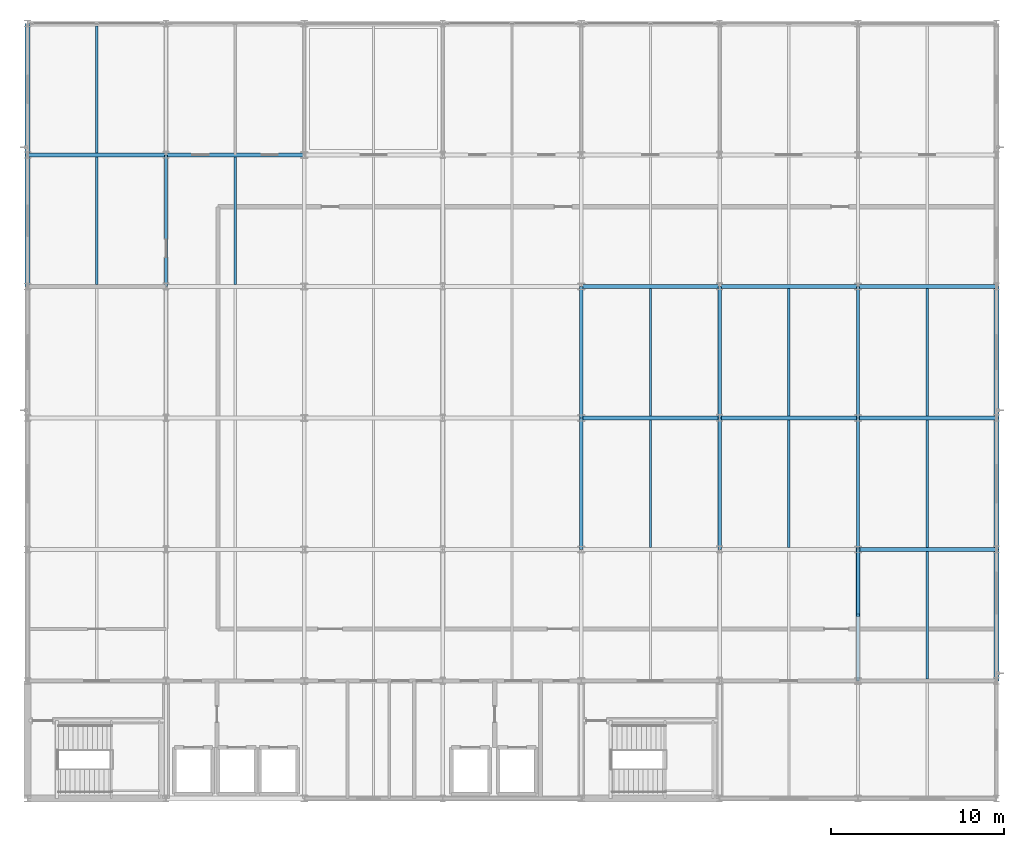
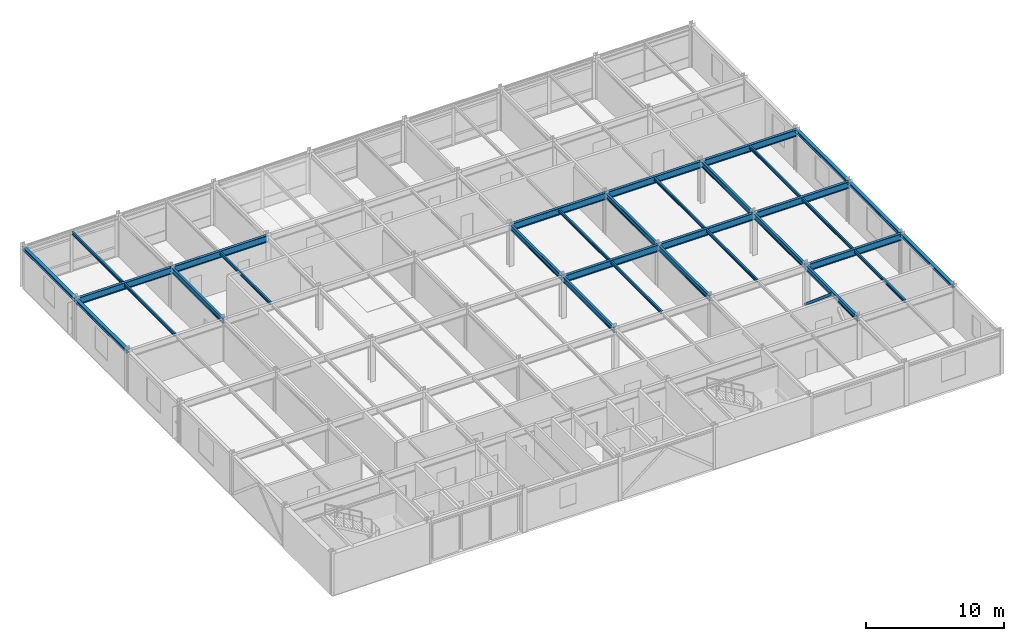
# One storey, part 5 of 18: 32 beams, 1 member.
"""IFC4 building model written with IfcOpenShell, lengths in metres."""

from ifc_helpers import new_model, si_unit, direction, frame, origin, origin_2d, place, context, subcontext, project, spatial, hollow_rectangle, i_section, extrude, material, material_profile, profile_set, type_object, element, save


model = new_model("IFC4")

# Units and contexts
model_context = context("Model", 3, precision=1e-05, world=origin(), true_north=direction((0.0, 1.0)))
body_context = subcontext(model_context, "Body", "Model", "MODEL_VIEW")
ifc_project = project(units=[si_unit("LENGTHUNIT", "METRE"), si_unit("AREAUNIT", "SQUARE_METRE"), si_unit("VOLUMEUNIT", "CUBIC_METRE"), si_unit("PLANEANGLEUNIT", "RADIAN"), si_unit("MASSUNIT", "GRAM", prefix="KILO")], contexts=[model_context])

# Site, building, storey
site_placement = place(None, origin())
site = spatial("IfcSite", under=ifc_project, at=site_placement, CompositionType="ELEMENT")
building_placement = place(site_placement, origin())
building = spatial("IfcBuilding", under=site, at=building_placement, Name="Shalkamar Park Central Library", CompositionType="ELEMENT")
storey_placement = place(building_placement, frame((0.0, 0.0, 24.300048828125)))
storey = spatial("IfcBuildingStorey", under=building, at=storey_placement, Name="L06", CompositionType="ELEMENT", Elevation=24.300048828125)

# Beams
ifc_material = material(Name="Steel S355", Category="steel")
ifc_material_profile_1 = material_profile(ifc_material, i_section(OverallWidth=0.135009765625, OverallDepth=0.27001953125, WebThickness=0.006591796875, FlangeThickness=0.01025390625, FilletRadius=0.014892578125, at=origin_2d()), Name="IPE 270")
ifc_profile_set_1 = profile_set([ifc_material_profile_1], Name="Steel S355")
beam_type_1 = type_object("IfcBeamType", Name="Composite Floor Joist IPE270", PredefinedType="JOIST", material=ifc_profile_set_1)
beam_1_placement = place(storey_placement, frame((169.0, 278.10791015625, 3.52490234375), z_axis=(0.0, 1.0, 0.0), x_axis=(-1.0, 0.0, 0.0)))
element("IfcBeam", 1, at=beam_1_placement, inside=storey, type_object=beam_type_1, Name="Composite Joist 07/F-1 (L06)", PredefinedType="JOIST", context=body_context, shape_type="SweptSolid", body=[
    extrude(i_section(OverallWidth=0.135009765625, OverallDepth=0.27001953125, WebThickness=0.006591796875, FlangeThickness=0.01025390625, FilletRadius=0.014892578125, at=origin_2d()), origin(), (0.0, 0.0, 1.0), 7.384033203125),
])
beam_2_placement = place(storey_placement, frame((169.0, 285.7080078125, 3.52490234375), z_axis=(0.0, 1.0, 0.0), x_axis=(-1.0, 0.0, 0.0)))
element("IfcBeam", 2, at=beam_2_placement, inside=storey, type_object=beam_type_1, Name="Composite Joist 07/G-1 (L06)", PredefinedType="JOIST", context=body_context, shape_type="SweptSolid", body=[
    extrude(i_section(OverallWidth=0.135009765625, OverallDepth=0.27001953125, WebThickness=0.006591796875, FlangeThickness=0.01025390625, FilletRadius=0.014892578125, at=origin_2d()), origin(), (0.0, 0.0, 1.0), 7.343994140625),
])
for number, where, z_axis, x_axis, name in (
    (3, (177.0, 278.10791015625, 3.52490234375), (0.0, 1.0, 0.0), (-1.0, 0.0, 0.0), "Composite Joist 08/F-1 (L06)"),
    (4, (201.0, 262.907958984375, 3.52490234375), (0.0, 1.0, 0.0), (-1.0, 0.0, 0.0), "Composite Joist 11/D-1 (L06)"),
    (5, (201.0, 270.508056640625, 3.52490234375), (0.0, 1.0, 0.0), (-1.0, 0.0, 0.0), "Composite Joist 11/E-1 (L06)"),
    (6, (209.0, 262.907958984375, 3.52490234375), (0.0, 1.0, 0.0), (-1.0, 0.0, 0.0), "Composite Joist 12/D-1 (L06)"),
    (7, (209.0, 270.508056640625, 3.52490234375), (0.0, 1.0, 0.0), (-1.0, 0.0, 0.0), "Composite Joist 12/E-1 (L06)"),
):
    element("IfcBeam", number, at=place(storey_placement, frame(where, z_axis=z_axis, x_axis=x_axis)), inside=storey, type_object=beam_type_1, Name=name, PredefinedType="JOIST", context=body_context, shape_type="SweptSolid", body=[
        extrude(i_section(OverallWidth=0.135009765625, OverallDepth=0.27001953125, WebThickness=0.006591796875, FlangeThickness=0.01025390625, FilletRadius=0.014892578125, at=origin_2d()), origin(), (0.0, 0.0, 1.0), 7.384033203125),
    ])
beam_3_placement = place(storey_placement, frame((217.0, 255.30810546875, 3.52490234375), z_axis=(0.0, 1.0, 0.0), x_axis=(-1.0, 0.0, 0.0)))
element("IfcBeam", 8, at=beam_3_placement, inside=storey, type_object=beam_type_1, Name="Composite Joist 13/C-1 (L06)", PredefinedType="JOIST", context=body_context, shape_type="SweptSolid", body=[
    extrude(i_section(OverallWidth=0.135009765625, OverallDepth=0.27001953125, WebThickness=0.006591796875, FlangeThickness=0.01025390625, FilletRadius=0.014892578125, at=origin_2d()), origin(), (0.0, 0.0, 1.0), 7.3837890625),
])
for number, where, z_axis, x_axis, name in (
    (9, (217.0, 262.907958984375, 3.52490234375), (0.0, 1.0, 0.0), (-1.0, 0.0, 0.0), "Composite Joist 13/D-1 (L06)"),
    (10, (217.0, 270.508056640625, 3.52490234375), (0.0, 1.0, 0.0), (-1.0, 0.0, 0.0), "Composite Joist 13/E-1 (L06)"),
):
    element("IfcBeam", number, at=place(storey_placement, frame(where, z_axis=z_axis, x_axis=x_axis)), inside=storey, type_object=beam_type_1, Name=name, PredefinedType="JOIST", context=body_context, shape_type="SweptSolid", body=[
        extrude(i_section(OverallWidth=0.135009765625, OverallDepth=0.27001953125, WebThickness=0.006591796875, FlangeThickness=0.01025390625, FilletRadius=0.014892578125, at=origin_2d()), origin(), (0.0, 0.0, 1.0), 7.384033203125),
    ])

# Member
ifc_material_profile_2 = material_profile(ifc_material, hollow_rectangle(XDim=0.219970703125, YDim=0.219970703125, WallThickness=0.010009765625, InnerFilletRadius=0.010009765625, OuterFilletRadius=0.014892578125, at=origin_2d()), Name="SHS 220x220x10")
ifc_profile_set_2 = profile_set([ifc_material_profile_2], Name="Steel S355")
member_type = type_object("IfcMemberType", Name="Diagonal Brace SHS220", PredefinedType="BRACE", material=ifc_profile_set_2)
member_placement = place(storey_placement, frame((213.0, 262.800048828125, 0.14990234375), z_axis=(0.0, -0.763927756814, 0.645301776202), x_axis=(1.0, 0.0, 0.0)))
element("IfcMember", 11, at=member_placement, inside=storey, type_object=member_type, Name="Chevron Brace TW-E Leg B (L06)", PredefinedType="BRACE", context=body_context, shape_type="SweptSolid", body=[
    extrude(hollow_rectangle(XDim=0.219970703125, YDim=0.219970703125, WallThickness=0.010009765625, InnerFilletRadius=0.010009765625, OuterFilletRadius=0.014892578125, at=origin_2d()), origin(), (0.0, 0.0, 1.0), 4.974365234375),
])

# Beams
ifc_material_profile_3 = material_profile(ifc_material, i_section(OverallWidth=0.280029296875, OverallDepth=0.27001953125, WebThickness=0.008056640625, FlangeThickness=0.012939453125, FilletRadius=0.02392578125, at=origin_2d()), Name="HEA 280")
ifc_profile_set_3 = profile_set([ifc_material_profile_3], Name="Steel S355")
beam_type_2 = type_object("IfcBeamType", Name="Perimeter Spandrel Beam HEA280", PredefinedType="SPANDREL", material=ifc_profile_set_3)
beam_4_placement = place(storey_placement, frame((165.0, 278.0, 3.52490234375), z_axis=(0.0, 1.0, 0.0), x_axis=(-1.0, 0.0, 0.0)))
element("IfcBeam", 12, at=beam_4_placement, inside=storey, type_object=beam_type_2, Name="Beam 07:F-G (L06)", PredefinedType="SPANDREL", context=body_context, shape_type="SweptSolid", body=[
    extrude(i_section(OverallWidth=0.280029296875, OverallDepth=0.27001953125, WebThickness=0.008056640625, FlangeThickness=0.012939453125, FilletRadius=0.02392578125, at=origin_2d()), origin(), (0.0, 0.0, 1.0), 7.60009765625),
])
beam_5_placement = place(storey_placement, frame((165.0, 285.60009765625, 3.52490234375), z_axis=(0.0, 1.0, 0.0), x_axis=(-1.0, 0.0, 0.0)))
element("IfcBeam", 13, at=beam_5_placement, inside=storey, type_object=beam_type_2, Name="Beam 07:G-H (L06)", PredefinedType="SPANDREL", context=body_context, shape_type="SweptSolid", body=[
    extrude(i_section(OverallWidth=0.280029296875, OverallDepth=0.27001953125, WebThickness=0.008056640625, FlangeThickness=0.012939453125, FilletRadius=0.02392578125, at=origin_2d()), origin(), (0.0, 0.0, 1.0), 7.599853515625),
])
beam_6_placement = place(storey_placement, frame((221.0, 255.199951171875, 3.52490234375), z_axis=(0.0, 1.0, 0.0), x_axis=(-1.0, 0.0, 0.0)))
element("IfcBeam", 14, at=beam_6_placement, inside=storey, type_object=beam_type_2, Name="Beam 14:C-D (L06)", PredefinedType="SPANDREL", context=body_context, shape_type="SweptSolid", body=[
    extrude(i_section(OverallWidth=0.280029296875, OverallDepth=0.27001953125, WebThickness=0.008056640625, FlangeThickness=0.012939453125, FilletRadius=0.02392578125, at=origin_2d()), origin(), (0.0, 0.0, 1.0), 7.60009765625),
])
beam_7_placement = place(storey_placement, frame((221.0, 262.800048828125, 3.52490234375), z_axis=(0.0, 1.0, 0.0), x_axis=(-1.0, 0.0, 0.0)))
element("IfcBeam", 15, at=beam_7_placement, inside=storey, type_object=beam_type_2, Name="Beam 14:D-E (L06)", PredefinedType="SPANDREL", context=body_context, shape_type="SweptSolid", body=[
    extrude(i_section(OverallWidth=0.280029296875, OverallDepth=0.27001953125, WebThickness=0.008056640625, FlangeThickness=0.012939453125, FilletRadius=0.02392578125, at=origin_2d()), origin(), (0.0, 0.0, 1.0), 7.599853515625),
])
beam_8_placement = place(storey_placement, frame((221.0, 270.39990234375, 3.52490234375), z_axis=(0.0, 1.0, 0.0), x_axis=(-1.0, 0.0, 0.0)))
element("IfcBeam", 16, at=beam_8_placement, inside=storey, type_object=beam_type_2, Name="Beam 14:E-F (L06)", PredefinedType="SPANDREL", context=body_context, shape_type="SweptSolid", body=[
    extrude(i_section(OverallWidth=0.280029296875, OverallDepth=0.27001953125, WebThickness=0.008056640625, FlangeThickness=0.012939453125, FilletRadius=0.02392578125, at=origin_2d()), origin(), (0.0, 0.0, 1.0), 7.60009765625),
])
ifc_material_profile_4 = material_profile(ifc_material, i_section(OverallWidth=0.18994140625, OverallDepth=0.449951171875, WebThickness=0.009521484375, FlangeThickness=0.0146484375, FilletRadius=0.02099609375, at=origin_2d()), Name="IPE 450")
ifc_profile_set_4 = profile_set([ifc_material_profile_4], Name="Steel S355")
beam_type_3 = type_object("IfcBeamType", Name="Primary Girder IPE450", PredefinedType="BEAM", material=ifc_profile_set_4)
beam_9_placement = place(storey_placement, frame((173.0, 278.0, 3.43505859375), z_axis=(0.0, 1.0, 0.0), x_axis=(-1.0, 0.0, 0.0)))
element("IfcBeam", 17, at=beam_9_placement, inside=storey, type_object=beam_type_3, Name="Beam 08:F-G (L06)", PredefinedType="BEAM", context=body_context, shape_type="SweptSolid", body=[
    extrude(i_section(OverallWidth=0.18994140625, OverallDepth=0.449951171875, WebThickness=0.009521484375, FlangeThickness=0.0146484375, FilletRadius=0.02099609375, at=origin_2d()), origin(), (0.0, 0.0, 1.0), 7.60009765625),
])
beam_10_placement = place(storey_placement, frame((197.0, 262.800048828125, 3.43505859375), z_axis=(0.0, 1.0, 0.0), x_axis=(-1.0, 0.0, 0.0)))
element("IfcBeam", 18, at=beam_10_placement, inside=storey, type_object=beam_type_3, Name="Beam 11:D-E (L06)", PredefinedType="BEAM", context=body_context, shape_type="SweptSolid", body=[
    extrude(i_section(OverallWidth=0.18994140625, OverallDepth=0.449951171875, WebThickness=0.009521484375, FlangeThickness=0.0146484375, FilletRadius=0.02099609375, at=origin_2d()), origin(), (0.0, 0.0, 1.0), 7.599853515625),
])
beam_11_placement = place(storey_placement, frame((197.0, 270.39990234375, 3.43505859375), z_axis=(0.0, 1.0, 0.0), x_axis=(-1.0, 0.0, 0.0)))
element("IfcBeam", 19, at=beam_11_placement, inside=storey, type_object=beam_type_3, Name="Beam 11:E-F (L06)", PredefinedType="BEAM", context=body_context, shape_type="SweptSolid", body=[
    extrude(i_section(OverallWidth=0.18994140625, OverallDepth=0.449951171875, WebThickness=0.009521484375, FlangeThickness=0.0146484375, FilletRadius=0.02099609375, at=origin_2d()), origin(), (0.0, 0.0, 1.0), 7.60009765625),
])
beam_12_placement = place(storey_placement, frame((205.0, 262.800048828125, 3.43505859375), z_axis=(0.0, 1.0, 0.0), x_axis=(-1.0, 0.0, 0.0)))
element("IfcBeam", 20, at=beam_12_placement, inside=storey, type_object=beam_type_3, Name="Beam 12:D-E (L06)", PredefinedType="BEAM", context=body_context, shape_type="SweptSolid", body=[
    extrude(i_section(OverallWidth=0.18994140625, OverallDepth=0.449951171875, WebThickness=0.009521484375, FlangeThickness=0.0146484375, FilletRadius=0.02099609375, at=origin_2d()), origin(), (0.0, 0.0, 1.0), 7.599853515625),
])
for number, where, z_axis, x_axis, name in (
    (21, (205.0, 270.39990234375, 3.43505859375), (0.0, 1.0, 0.0), (-1.0, 0.0, 0.0), "Beam 12:E-F (L06)"),
    (22, (213.0, 255.199951171875, 3.43505859375), (0.0, 1.0, 0.0), (-1.0, 0.0, 0.0), "Beam 13:C-D (L06)"),
):
    element("IfcBeam", number, at=place(storey_placement, frame(where, z_axis=z_axis, x_axis=x_axis)), inside=storey, type_object=beam_type_3, Name=name, PredefinedType="BEAM", context=body_context, shape_type="SweptSolid", body=[
        extrude(i_section(OverallWidth=0.18994140625, OverallDepth=0.449951171875, WebThickness=0.009521484375, FlangeThickness=0.0146484375, FilletRadius=0.02099609375, at=origin_2d()), origin(), (0.0, 0.0, 1.0), 7.60009765625),
    ])
beam_13_placement = place(storey_placement, frame((213.0, 262.800048828125, 3.43505859375), z_axis=(0.0, 1.0, 0.0), x_axis=(-1.0, 0.0, 0.0)))
element("IfcBeam", 23, at=beam_13_placement, inside=storey, type_object=beam_type_3, Name="Beam 13:D-E (L06)", PredefinedType="BEAM", context=body_context, shape_type="SweptSolid", body=[
    extrude(i_section(OverallWidth=0.18994140625, OverallDepth=0.449951171875, WebThickness=0.009521484375, FlangeThickness=0.0146484375, FilletRadius=0.02099609375, at=origin_2d()), origin(), (0.0, 0.0, 1.0), 7.599853515625),
])
beam_14_placement = place(storey_placement, frame((213.0, 270.39990234375, 3.43505859375), z_axis=(0.0, 1.0, 0.0), x_axis=(-1.0, 0.0, 0.0)))
element("IfcBeam", 24, at=beam_14_placement, inside=storey, type_object=beam_type_3, Name="Beam 13:E-F (L06)", PredefinedType="BEAM", context=body_context, shape_type="SweptSolid", body=[
    extrude(i_section(OverallWidth=0.18994140625, OverallDepth=0.449951171875, WebThickness=0.009521484375, FlangeThickness=0.0146484375, FilletRadius=0.02099609375, at=origin_2d()), origin(), (0.0, 0.0, 1.0), 7.60009765625),
])
ifc_material_profile_5 = material_profile(ifc_material, i_section(OverallWidth=0.219970703125, OverallDepth=0.60009765625, WebThickness=0.011962890625, FlangeThickness=0.01904296875, FilletRadius=0.02392578125, at=origin_2d()), Name="IPE 600")
ifc_profile_set_5 = profile_set([ifc_material_profile_5], Name="Steel S355")
beam_type_4 = type_object("IfcBeamType", Name="Primary Girder IPE600", PredefinedType="BEAM", material=ifc_profile_set_5)
for number, where, z_axis, x_axis, name in (
    (25, (213.0, 262.800048828125, 3.35986328125), (1.0, 0.0, 0.0), (0.0, 1.0, 0.0), "Beam D:13-14 (L06)"),
    (26, (197.0, 270.39990234375, 3.35986328125), (1.0, 0.0, 0.0), (0.0, 1.0, 0.0), "Beam E:11-12 (L06)"),
    (27, (205.0, 270.39990234375, 3.35986328125), (1.0, 0.0, 0.0), (0.0, 1.0, 0.0), "Beam E:12-13 (L06)"),
    (28, (213.0, 270.39990234375, 3.35986328125), (1.0, 0.0, 0.0), (0.0, 1.0, 0.0), "Beam E:13-14 (L06)"),
    (29, (197.0, 278.0, 3.35986328125), (1.0, 0.0, 0.0), (0.0, 1.0, 0.0), "Beam F:11-12 (L06)"),
    (30, (205.0, 278.0, 3.35986328125), (1.0, 0.0, 0.0), (0.0, 1.0, 0.0), "Beam F:12-13 (L06)"),
    (31, (213.0, 278.0, 3.35986328125), (1.0, 0.0, 0.0), (0.0, 1.0, 0.0), "Beam F:13-14 (L06)"),
    (32, (165.0, 285.60009765625, 3.35986328125), (1.0, 0.0, 0.0), (0.0, 1.0, 0.0), "Beam G:07-08 (L06)"),
    (33, (173.0, 285.60009765625, 3.35986328125), (1.0, 0.0, 0.0), (0.0, 1.0, 0.0), "Beam G:08-09 (L06)"),
):
    element("IfcBeam", number, at=place(storey_placement, frame(where, z_axis=z_axis, x_axis=x_axis)), inside=storey, type_object=beam_type_4, Name=name, PredefinedType="BEAM", context=body_context, shape_type="SweptSolid", body=[
        extrude(i_section(OverallWidth=0.219970703125, OverallDepth=0.60009765625, WebThickness=0.011962890625, FlangeThickness=0.01904296875, FilletRadius=0.02392578125, at=origin_2d()), origin(), (0.0, 0.0, 1.0), 8.0),
    ])

save(model, "model.ifc")
